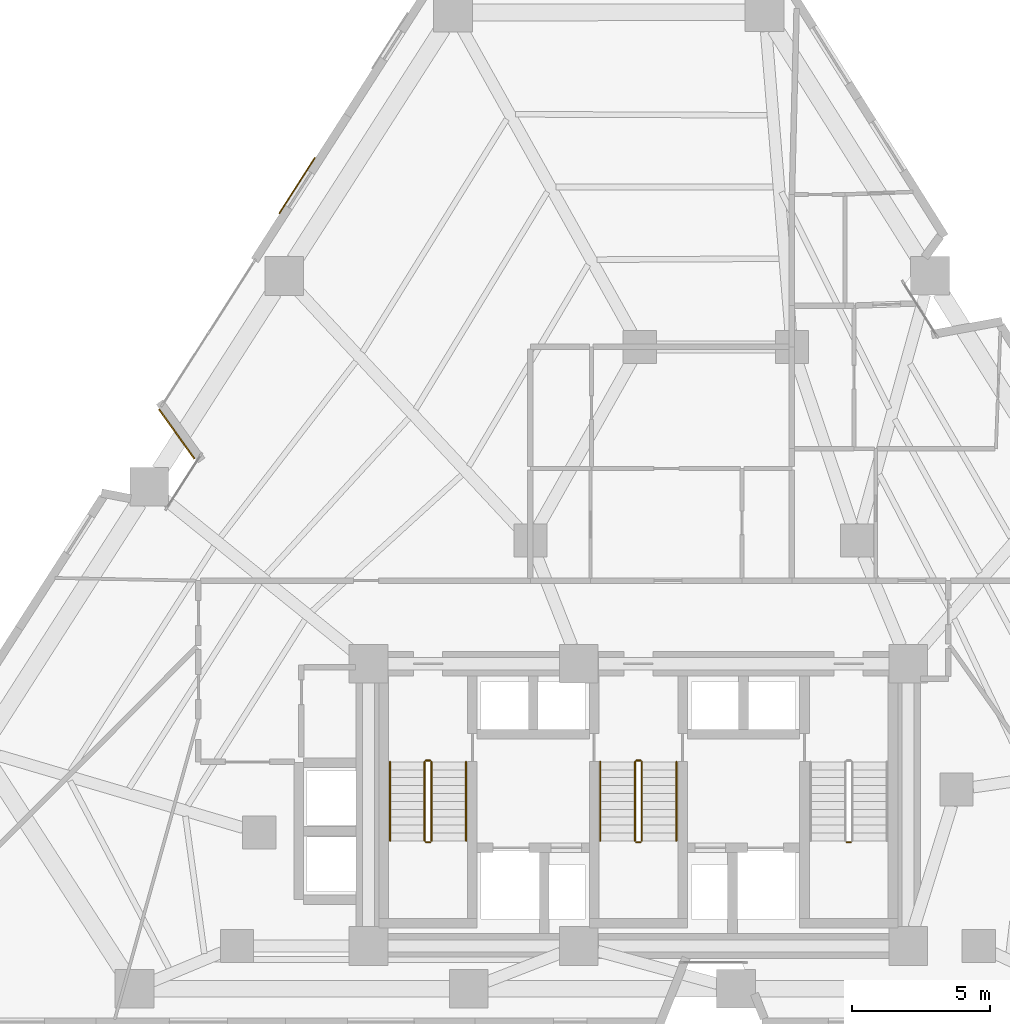
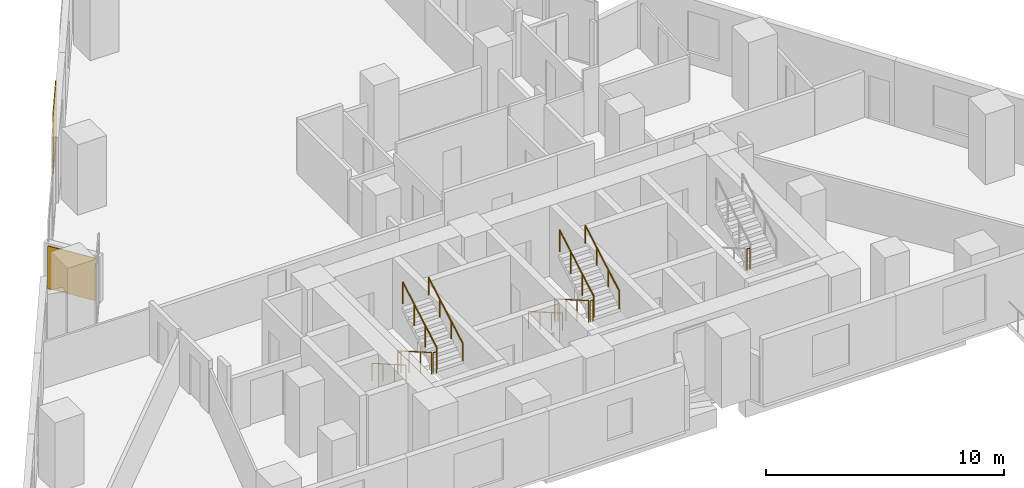
# One storey, part 11 of 13: 13 railings, 2 coverings.
"""IFC4 building model written with IfcOpenShell, lengths in metres."""

from ifc_helpers import new_model, si_unit, direction, frame, origin, origin_2d, place, context, subcontext, project, spatial, rectangle, circle, extrude, material, layer, layer_set, type_object, element, save


model = new_model("IFC4")

# Units and contexts
model_context = context("Model", 3, precision=1e-05, world=origin(), true_north=direction((0.0, 1.0)))
body_context = subcontext(model_context, "Body", "Model", "MODEL_VIEW")
ifc_project = project(units=[si_unit("LENGTHUNIT", "METRE"), si_unit("AREAUNIT", "SQUARE_METRE"), si_unit("VOLUMEUNIT", "CUBIC_METRE"), si_unit("PLANEANGLEUNIT", "RADIAN"), si_unit("MASSUNIT", "GRAM", prefix="KILO")], contexts=[model_context])

# Site, building, storey
site_placement = place(None, origin())
site = spatial("IfcSite", under=ifc_project, at=site_placement, CompositionType="ELEMENT")
building_placement = place(site_placement, origin())
building = spatial("IfcBuilding", under=site, at=building_placement, Name="Almagre Mirador Tower", CompositionType="ELEMENT")
storey_placement = place(building_placement, frame((0.0, 0.0, 57.0)))
storey = spatial("IfcBuildingStorey", under=building, at=storey_placement, Name="L13", CompositionType="ELEMENT", Elevation=57.0)

# Coverings
ifc_material_1 = material(Name="Almagre terracotta architectural cladding", Category="masonry")
ifc_layer = layer(ifc_material_1, 0.044921875)
ifc_layer_set = layer_set([ifc_layer], Name="Almagre terracotta architectural cladding")
covering_type = type_object("IfcCoveringType", Name="COV-CLAD-ALMAGRE", PredefinedType="CLADDING", material=ifc_layer_set)
covering_1_placement = place(storey_placement, frame((20.618408203125, 23.051513671875, 0.10009765625), z_axis=(0.0, 0.0, 1.0), x_axis=(-0.583002488864, 0.812470367446, 0.0)))
element("IfcCovering", 1, at=covering_1_placement, inside=storey, type_object=covering_type, Name="L13 almagre terracotta pier cladding", PredefinedType="CLADDING", context=body_context, shape_type="SweptSolid", body=[
    extrude(rectangle(XDim=2.194091796875, YDim=0.044921875, at=origin_2d()), origin(), (0.0, 0.0, 1.0), 2.175048828125),
])
covering_2_placement = place(storey_placement, frame((24.968017578125, 32.03369140625, 0.10009765625), z_axis=(0.0, 0.0, 1.0), x_axis=(0.539505758171, 0.841981910079, 0.0)))
element("IfcCovering", 2, at=covering_2_placement, inside=storey, type_object=covering_type, Name="L13 almagre terracotta pier cladding", PredefinedType="CLADDING", context=body_context, shape_type="SweptSolid", body=[
    extrude(rectangle(XDim=2.39990234375, YDim=0.044921875, at=origin_2d()), origin(), (0.0, 0.0, 1.0), 3.14990234375),
])

# Railings
ifc_material_2 = material(Name="Painted galvanized steel", Category="steel")
railing_type_1 = type_object("IfcRailingType", Name="RLG-GRD-1100", PredefinedType="GUARDRAIL", material=ifc_material_2)
railing_1_placement = place(storey_placement, frame((29.574951171875, 11.199951171875, 0.16357421875)))
element("IfcRailing", 3, at=railing_1_placement, inside=storey, type_object=railing_type_1, Name="L13 ST-1 stair guard 1", PredefinedType="GUARDRAIL", context=body_context, shape_type="SweptSolid", body=[
    extrude(circle(Radius=0.02392578125, at=origin_2d()), frame((0.0, 0.0, 1.09619140625), z_axis=(0.0, -0.867194282975, 0.497969954491), x_axis=(1.0, 0.0, 0.0)), (0.0, 0.0, 1.0), 3.286376953125),
    extrude(circle(Radius=0.02099609375, at=origin_2d()), origin(), (0.0, 0.0, 1.0), 1.072021484375),
    extrude(circle(Radius=0.02099609375, at=origin_2d()), frame((0.0, -0.949951171875, 0.54541015625)), (0.0, 0.0, 1.0), 1.072021484375),
    extrude(circle(Radius=0.02099609375, at=origin_2d()), frame((0.0, -1.89990234375, 1.091064453125)), (0.0, 0.0, 1.0), 1.072021484375),
    extrude(circle(Radius=0.02099609375, at=origin_2d()), frame((0.0, -2.849853515625, 1.636474609375)), (0.0, 0.0, 1.0), 1.072021484375),
])
railing_2_placement = place(storey_placement, frame((29.625, 8.300048828125, 1.800048828125)))
element("IfcRailing", 4, at=railing_2_placement, inside=storey, type_object=railing_type_1, Name="L13 ST-1 stair guard 2", PredefinedType="GUARDRAIL", context=body_context, shape_type="SweptSolid", body=[
    extrude(circle(Radius=0.02392578125, at=origin_2d()), frame((0.0, 0.0, 1.09619140625), z_axis=(1.0, 0.0, 0.0), x_axis=(0.0, 1.0, 0.0)), (0.0, 0.0, 1.0), 0.14990234375),
    extrude(circle(Radius=0.02099609375, at=origin_2d()), origin(), (0.0, 0.0, 1.0), 1.072021484375),
    extrude(circle(Radius=0.02099609375, at=origin_2d()), frame((0.14990234375, 0.0, 0.0)), (0.0, 0.0, 1.0), 1.072021484375),
])
railing_3_placement = place(storey_placement, frame((29.824951171875, 8.35009765625, 1.963623046875)))
element("IfcRailing", 5, at=railing_3_placement, inside=storey, type_object=railing_type_1, Name="L13 ST-1 stair guard 3", PredefinedType="GUARDRAIL", context=body_context, shape_type="SweptSolid", body=[
    extrude(circle(Radius=0.02392578125, at=origin_2d()), frame((0.0, 0.0, 1.09619140625), z_axis=(0.0, 0.867194282975, 0.497969954491), x_axis=(-1.0, 0.0, 0.0)), (0.0, 0.0, 1.0), 3.286376953125),
    extrude(circle(Radius=0.02099609375, at=origin_2d()), origin(), (0.0, 0.0, 1.0), 1.072021484375),
    extrude(circle(Radius=0.02099609375, at=origin_2d()), frame((0.0, 0.949951171875, 0.54541015625)), (0.0, 0.0, 1.0), 1.072021484375),
    extrude(circle(Radius=0.02099609375, at=origin_2d()), frame((0.0, 1.89990234375, 1.091064453125)), (0.0, 0.0, 1.0), 1.072021484375),
    extrude(circle(Radius=0.02099609375, at=origin_2d()), frame((0.0, 2.849853515625, 1.636474609375)), (0.0, 0.0, 1.0), 1.072021484375),
])
railing_4_placement = place(storey_placement, frame((29.625, 11.25, 0.0)))
element("IfcRailing", 6, at=railing_4_placement, inside=storey, type_object=railing_type_1, Name="L13 ST-1 stair guard 4", PredefinedType="GUARDRAIL", context=body_context, shape_type="SweptSolid", body=[
    extrude(circle(Radius=0.02392578125, at=origin_2d()), frame((0.0, 0.0, 1.09619140625), z_axis=(1.0, 0.0, 0.0), x_axis=(0.0, 1.0, 0.0)), (0.0, 0.0, 1.0), 0.14990234375),
    extrude(circle(Radius=0.02099609375, at=origin_2d()), origin(), (0.0, 0.0, 1.0), 1.072021484375),
    extrude(circle(Radius=0.02099609375, at=origin_2d()), frame((0.14990234375, 0.0, 0.0)), (0.0, 0.0, 1.0), 1.072021484375),
])
railing_5_placement = place(storey_placement, frame((37.175048828125, 11.199951171875, 0.16357421875)))
element("IfcRailing", 7, at=railing_5_placement, inside=storey, type_object=railing_type_1, Name="L13 ST-2 stair guard 1", PredefinedType="GUARDRAIL", context=body_context, shape_type="SweptSolid", body=[
    extrude(circle(Radius=0.02392578125, at=origin_2d()), frame((0.0, 0.0, 1.09619140625), z_axis=(0.0, -0.867194282975, 0.497969954491), x_axis=(1.0, 0.0, 0.0)), (0.0, 0.0, 1.0), 3.286376953125),
    extrude(circle(Radius=0.02099609375, at=origin_2d()), origin(), (0.0, 0.0, 1.0), 1.072021484375),
    extrude(circle(Radius=0.02099609375, at=origin_2d()), frame((0.0, -0.949951171875, 0.54541015625)), (0.0, 0.0, 1.0), 1.072021484375),
    extrude(circle(Radius=0.02099609375, at=origin_2d()), frame((0.0, -1.89990234375, 1.091064453125)), (0.0, 0.0, 1.0), 1.072021484375),
    extrude(circle(Radius=0.02099609375, at=origin_2d()), frame((0.0, -2.849853515625, 1.636474609375)), (0.0, 0.0, 1.0), 1.072021484375),
])
railing_6_placement = place(storey_placement, frame((37.22509765625, 8.300048828125, 1.800048828125)))
element("IfcRailing", 8, at=railing_6_placement, inside=storey, type_object=railing_type_1, Name="L13 ST-2 stair guard 2", PredefinedType="GUARDRAIL", context=body_context, shape_type="SweptSolid", body=[
    extrude(circle(Radius=0.02392578125, at=origin_2d()), frame((0.0, 0.0, 1.09619140625), z_axis=(1.0, 0.0, 0.0), x_axis=(0.0, 1.0, 0.0)), (0.0, 0.0, 1.0), 0.14990234375),
    extrude(circle(Radius=0.02099609375, at=origin_2d()), origin(), (0.0, 0.0, 1.0), 1.072021484375),
    extrude(circle(Radius=0.02099609375, at=origin_2d()), frame((0.14990234375, 0.0, 0.0)), (0.0, 0.0, 1.0), 1.072021484375),
])
railing_7_placement = place(storey_placement, frame((37.425048828125, 8.35009765625, 1.963623046875)))
element("IfcRailing", 9, at=railing_7_placement, inside=storey, type_object=railing_type_1, Name="L13 ST-2 stair guard 3", PredefinedType="GUARDRAIL", context=body_context, shape_type="SweptSolid", body=[
    extrude(circle(Radius=0.02392578125, at=origin_2d()), frame((0.0, 0.0, 1.09619140625), z_axis=(0.0, 0.867194282975, 0.497969954491), x_axis=(-1.0, 0.0, 0.0)), (0.0, 0.0, 1.0), 3.286376953125),
    extrude(circle(Radius=0.02099609375, at=origin_2d()), origin(), (0.0, 0.0, 1.0), 1.072021484375),
    extrude(circle(Radius=0.02099609375, at=origin_2d()), frame((0.0, 0.949951171875, 0.54541015625)), (0.0, 0.0, 1.0), 1.072021484375),
    extrude(circle(Radius=0.02099609375, at=origin_2d()), frame((0.0, 1.89990234375, 1.091064453125)), (0.0, 0.0, 1.0), 1.072021484375),
    extrude(circle(Radius=0.02099609375, at=origin_2d()), frame((0.0, 2.849853515625, 1.636474609375)), (0.0, 0.0, 1.0), 1.072021484375),
])
railing_8_placement = place(storey_placement, frame((37.22509765625, 11.25, 0.0)))
element("IfcRailing", 10, at=railing_8_placement, inside=storey, type_object=railing_type_1, Name="L13 ST-2 stair guard 4", PredefinedType="GUARDRAIL", context=body_context, shape_type="SweptSolid", body=[
    extrude(circle(Radius=0.02392578125, at=origin_2d()), frame((0.0, 0.0, 1.09619140625), z_axis=(1.0, 0.0, 0.0), x_axis=(0.0, 1.0, 0.0)), (0.0, 0.0, 1.0), 0.14990234375),
    extrude(circle(Radius=0.02099609375, at=origin_2d()), origin(), (0.0, 0.0, 1.0), 1.072021484375),
    extrude(circle(Radius=0.02099609375, at=origin_2d()), frame((0.14990234375, 0.0, 0.0)), (0.0, 0.0, 1.0), 1.072021484375),
])
railing_9_placement = place(storey_placement, frame((44.824951171875, 8.300048828125, 1.800048828125)))
element("IfcRailing", 11, at=railing_9_placement, inside=storey, type_object=railing_type_1, Name="L13 ST-3 stair guard 2", PredefinedType="GUARDRAIL", context=body_context, shape_type="SweptSolid", body=[
    extrude(circle(Radius=0.02392578125, at=origin_2d()), frame((0.0, 0.0, 1.09619140625), z_axis=(1.0, 0.0, 0.0), x_axis=(0.0, 1.0, 0.0)), (0.0, 0.0, 1.0), 0.150146484375),
    extrude(circle(Radius=0.02099609375, at=origin_2d()), origin(), (0.0, 0.0, 1.0), 1.072021484375),
    extrude(circle(Radius=0.02099609375, at=origin_2d()), frame((0.150146484375, 0.0, 0.0)), (0.0, 0.0, 1.0), 1.072021484375),
])
ifc_material_3 = material(Name="Brushed stainless steel", Category="steel")
railing_type_2 = type_object("IfcRailingType", Name="RLG-HND-915", PredefinedType="HANDRAIL", material=ifc_material_3)
railing_10_placement = place(storey_placement, frame((28.324951171875, 11.199951171875, 0.16357421875)))
element("IfcRailing", 12, at=railing_10_placement, inside=storey, type_object=railing_type_2, Name="L13 ST-1 stair handrail 1", PredefinedType="HANDRAIL", context=body_context, shape_type="SweptSolid", body=[
    extrude(circle(Radius=0.02392578125, at=origin_2d()), frame((0.0, 0.0, 0.89111328125), z_axis=(0.0, -0.867194282975, 0.497969954491), x_axis=(1.0, 0.0, 0.0)), (0.0, 0.0, 1.0), 3.286376953125),
    extrude(circle(Radius=0.02099609375, at=origin_2d()), origin(), (0.0, 0.0, 1.0), 0.866943359375),
    extrude(circle(Radius=0.02099609375, at=origin_2d()), frame((0.0, -0.949951171875, 0.54541015625)), (0.0, 0.0, 1.0), 0.866943359375),
    extrude(circle(Radius=0.02099609375, at=origin_2d()), frame((0.0, -1.89990234375, 1.091064453125)), (0.0, 0.0, 1.0), 0.866943359375),
    extrude(circle(Radius=0.02099609375, at=origin_2d()), frame((0.0, -2.849853515625, 1.636474609375)), (0.0, 0.0, 1.0), 0.866943359375),
])
railing_11_placement = place(storey_placement, frame((31.074951171875, 8.35009765625, 1.963623046875)))
element("IfcRailing", 13, at=railing_11_placement, inside=storey, type_object=railing_type_2, Name="L13 ST-1 stair handrail 2", PredefinedType="HANDRAIL", context=body_context, shape_type="SweptSolid", body=[
    extrude(circle(Radius=0.02392578125, at=origin_2d()), frame((0.0, 0.0, 0.89111328125), z_axis=(0.0, 0.867194282975, 0.497969954491), x_axis=(-1.0, 0.0, 0.0)), (0.0, 0.0, 1.0), 3.286376953125),
    extrude(circle(Radius=0.02099609375, at=origin_2d()), origin(), (0.0, 0.0, 1.0), 0.866943359375),
    extrude(circle(Radius=0.02099609375, at=origin_2d()), frame((0.0, 0.949951171875, 0.54541015625)), (0.0, 0.0, 1.0), 0.866943359375),
    extrude(circle(Radius=0.02099609375, at=origin_2d()), frame((0.0, 1.89990234375, 1.091064453125)), (0.0, 0.0, 1.0), 0.866943359375),
    extrude(circle(Radius=0.02099609375, at=origin_2d()), frame((0.0, 2.849853515625, 1.636474609375)), (0.0, 0.0, 1.0), 0.866943359375),
])
railing_12_placement = place(storey_placement, frame((35.925048828125, 11.199951171875, 0.16357421875)))
element("IfcRailing", 14, at=railing_12_placement, inside=storey, type_object=railing_type_2, Name="L13 ST-2 stair handrail 1", PredefinedType="HANDRAIL", context=body_context, shape_type="SweptSolid", body=[
    extrude(circle(Radius=0.02392578125, at=origin_2d()), frame((0.0, 0.0, 0.89111328125), z_axis=(0.0, -0.867194282975, 0.497969954491), x_axis=(1.0, 0.0, 0.0)), (0.0, 0.0, 1.0), 3.286376953125),
    extrude(circle(Radius=0.02099609375, at=origin_2d()), origin(), (0.0, 0.0, 1.0), 0.866943359375),
    extrude(circle(Radius=0.02099609375, at=origin_2d()), frame((0.0, -0.949951171875, 0.54541015625)), (0.0, 0.0, 1.0), 0.866943359375),
    extrude(circle(Radius=0.02099609375, at=origin_2d()), frame((0.0, -1.89990234375, 1.091064453125)), (0.0, 0.0, 1.0), 0.866943359375),
    extrude(circle(Radius=0.02099609375, at=origin_2d()), frame((0.0, -2.849853515625, 1.636474609375)), (0.0, 0.0, 1.0), 0.866943359375),
])
railing_13_placement = place(storey_placement, frame((38.675048828125, 8.35009765625, 1.963623046875)))
element("IfcRailing", 15, at=railing_13_placement, inside=storey, type_object=railing_type_2, Name="L13 ST-2 stair handrail 2", PredefinedType="HANDRAIL", context=body_context, shape_type="SweptSolid", body=[
    extrude(circle(Radius=0.02392578125, at=origin_2d()), frame((0.0, 0.0, 0.89111328125), z_axis=(0.0, 0.867194282975, 0.497969954491), x_axis=(-1.0, 0.0, 0.0)), (0.0, 0.0, 1.0), 3.286376953125),
    extrude(circle(Radius=0.02099609375, at=origin_2d()), origin(), (0.0, 0.0, 1.0), 0.866943359375),
    extrude(circle(Radius=0.02099609375, at=origin_2d()), frame((0.0, 0.949951171875, 0.54541015625)), (0.0, 0.0, 1.0), 0.866943359375),
    extrude(circle(Radius=0.02099609375, at=origin_2d()), frame((0.0, 1.89990234375, 1.091064453125)), (0.0, 0.0, 1.0), 0.866943359375),
    extrude(circle(Radius=0.02099609375, at=origin_2d()), frame((0.0, 2.849853515625, 1.636474609375)), (0.0, 0.0, 1.0), 0.866943359375),
])

save(model, "model.ifc")
